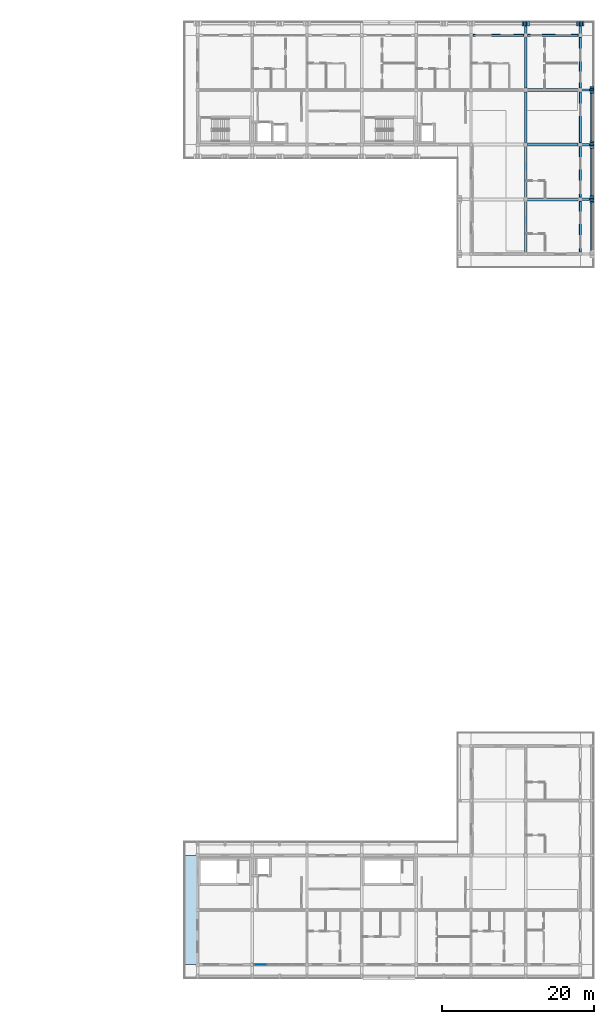
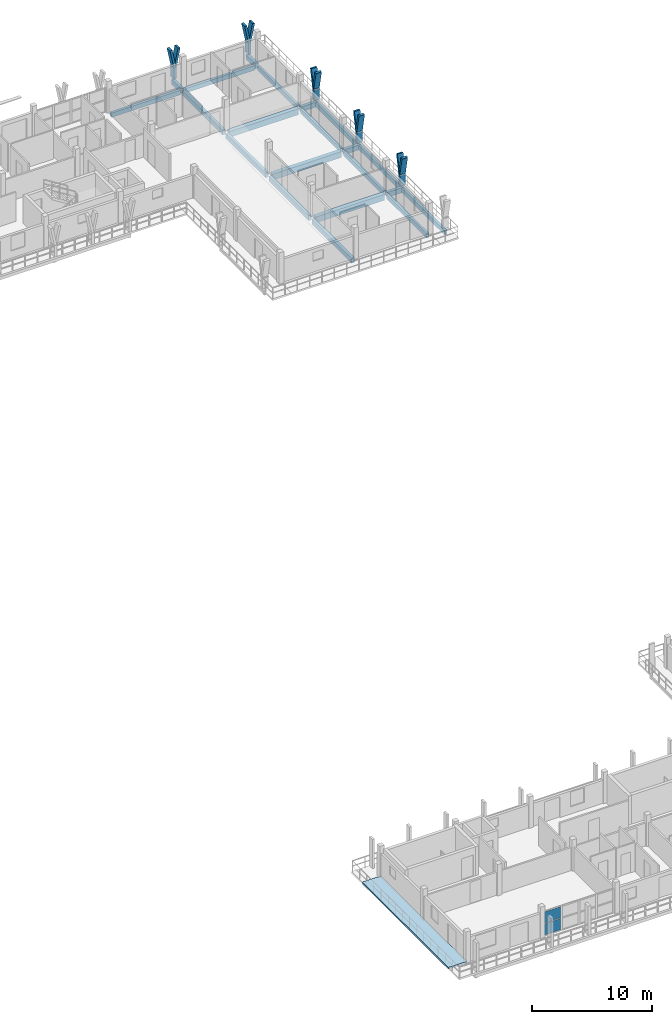
# One storey, part 26 of 56: 19 beams, 15 members, 2 plates, 1 slab, 1 element without a shape of its own.
"""IFC4 building model written with IfcOpenShell, lengths in metres."""

from ifc_helpers import new_model, si_unit, direction, frame, origin, origin_2d, place, context, subcontext, project, spatial, polyline, rectangle, outline, extrude, material, layer, layer_set, material_profile, profile_set, type_object, element, aggregate, save


model = new_model("IFC4")

# Units and contexts
model_context = context("Model", 3, precision=1e-05, world=origin(), true_north=direction((0.0, 1.0)))
body_context = subcontext(model_context, "Body", "Model", "MODEL_VIEW")
ifc_project = project(units=[si_unit("LENGTHUNIT", "METRE"), si_unit("AREAUNIT", "SQUARE_METRE"), si_unit("VOLUMEUNIT", "CUBIC_METRE"), si_unit("PLANEANGLEUNIT", "RADIAN"), si_unit("MASSUNIT", "GRAM", prefix="KILO")], contexts=[model_context])

# Site, building, storey
site_placement = place(None, origin())
site = spatial("IfcSite", under=ifc_project, at=site_placement, CompositionType="ELEMENT")
building_placement = place(site_placement, origin())
building = spatial("IfcBuilding", under=site, at=building_placement, Name="Suanplinth Sawtooth Commons", CompositionType="ELEMENT")
storey_placement = place(building_placement, frame((0.0, 0.0, 34.800048828125)))
storey = spatial("IfcBuildingStorey", under=building, at=storey_placement, Name="L10", CompositionType="ELEMENT", Elevation=34.800048828125)

# Beams
ifc_material_1 = material(Name="Precast concrete C40/50", Category="concrete")
ifc_material_profile_1 = material_profile(ifc_material_1, rectangle(XDim=0.39990234375, YDim=0.60009765625, at=origin_2d()), Name="PC-GDR 400x600")
ifc_profile_set_1 = profile_set([ifc_material_profile_1], Name="Precast concrete C40/50")
beam_type_1 = type_object("IfcBeamType", Name="B-05", PredefinedType="USERDEFINED", material=ifc_profile_set_1)
for number, where, z_axis, x_axis, name in (
    (1, (180.27490234375, 100.800048828125, -0.52001953125), (1.0, 0.0, 0.0), (0.0, 1.0, 0.0), "BMX-L10-B-25-14"),
    (2, (180.27490234375, 108.0, -0.52001953125), (1.0, 0.0, 0.0), (0.0, 1.0, 0.0), "BMX-L10-B-25-15"),
    (3, (180.27490234375, 115.199951171875, -0.52001953125), (1.0, 0.0, 0.0), (0.0, 1.0, 0.0), "BMX-L10-B-25-16"),
):
    element("IfcBeam", number, at=place(storey_placement, frame(where, z_axis=z_axis, x_axis=x_axis)), inside=storey, type_object=beam_type_1, Name=name, ObjectType="GIRDER", PredefinedType="USERDEFINED", context=body_context, shape_type="SweptSolid", body=[
        extrude(rectangle(XDim=0.39990234375, YDim=0.60009765625, at=origin_2d()), origin(), (0.0, 0.0, 1.0), 6.650146484375),
    ])
ifc_material_profile_2 = material_profile(ifc_material_1, rectangle(XDim=0.300048828125, YDim=0.5, at=origin_2d()), Name="PC-BM 300x500")
ifc_profile_set_2 = profile_set([ifc_material_profile_2], Name="Precast concrete C40/50")
beam_type_2 = type_object("IfcBeamType", Name="B-07", PredefinedType="BEAM", material=ifc_profile_set_2)
beam_1_placement = place(storey_placement, frame((180.0, 93.875, -0.469970703125), z_axis=(0.0, 1.0, 0.0), x_axis=(-1.0, 0.0, 0.0)))
element("IfcBeam", 4, at=beam_1_placement, inside=storey, type_object=beam_type_2, Name="BMY-L10-B-25-13", PredefinedType="BEAM", context=body_context, shape_type="SweptSolid", body=[
    extrude(rectangle(XDim=0.300048828125, YDim=0.5, at=origin_2d()), origin(), (0.0, 0.0, 1.0), 6.64990234375),
])
for number, where, z_axis, x_axis, name in (
    (5, (180.0, 101.074951171875, -0.469970703125), (0.0, 1.0, 0.0), (-1.0, 0.0, 0.0), "BMY-L10-B-25-14"),
    (6, (180.0, 108.27490234375, -0.469970703125), (0.0, 1.0, 0.0), (-1.0, 0.0, 0.0), "BMY-L10-B-25-15"),
):
    element("IfcBeam", number, at=place(storey_placement, frame(where, z_axis=z_axis, x_axis=x_axis)), inside=storey, type_object=beam_type_2, Name=name, PredefinedType="BEAM", context=body_context, shape_type="SweptSolid", body=[
        extrude(rectangle(XDim=0.300048828125, YDim=0.5, at=origin_2d()), origin(), (0.0, 0.0, 1.0), 6.650146484375),
    ])
beam_2_placement = place(storey_placement, frame((180.0, 115.47509765625, -0.469970703125), z_axis=(0.0, 1.0, 0.0), x_axis=(-1.0, 0.0, 0.0)))
element("IfcBeam", 7, at=beam_2_placement, inside=storey, type_object=beam_type_2, Name="BMY-L10-B-25-16", PredefinedType="BEAM", context=body_context, shape_type="SweptSolid", body=[
    extrude(rectangle(XDim=0.300048828125, YDim=0.5, at=origin_2d()), origin(), (0.0, 0.0, 1.0), 6.64990234375),
])
for number, where, z_axis, x_axis, name in (
    (8, (180.0, 122.39990234375, -0.429931640625), (0.0, 1.0, 0.0), (-1.0, 0.0, 0.0), "Balcony Outrigger L10-B-N-25"),
    (9, (187.199951171875, 122.39990234375, -0.429931640625), (0.0, 1.0, 0.0), (-1.0, 0.0, 0.0), "Balcony Outrigger L10-B-N-26"),
    (10, (187.199951171875, 100.800048828125, -0.429931640625), (1.0, 0.0, 0.0), (0.0, 1.0, 0.0), "Balcony Outrigger L10-B-E-14"),
    (11, (187.199951171875, 108.0, -0.429931640625), (1.0, 0.0, 0.0), (0.0, 1.0, 0.0), "Balcony Outrigger L10-B-E-15"),
    (12, (187.199951171875, 115.199951171875, -0.429931640625), (1.0, 0.0, 0.0), (0.0, 1.0, 0.0), "Balcony Outrigger L10-B-E-16"),
):
    element("IfcBeam", number, at=place(storey_placement, frame(where, z_axis=z_axis, x_axis=x_axis)), inside=storey, type_object=beam_type_2, Name=name, PredefinedType="BEAM", context=body_context, shape_type="SweptSolid", body=[
        extrude(rectangle(XDim=0.300048828125, YDim=0.5, at=origin_2d()), origin(), (0.0, 0.0, 1.0), 1.64013671875),
    ])
ifc_material_profile_3 = material_profile(ifc_material_1, rectangle(XDim=0.25, YDim=0.449951171875, at=origin_2d()), Name="PC-SP 250x450")
ifc_profile_set_3 = profile_set([ifc_material_profile_3], Name="Precast concrete C40/50")
beam_type_3 = type_object("IfcBeamType", Name="B-09", PredefinedType="SPANDREL", material=ifc_profile_set_3)
for number, where, z_axis, x_axis, name in (
    (13, (173.074951171875, 122.39990234375, -0.445068359375), (1.0, 0.0, 0.0), (0.0, 1.0, 0.0), "BMX-L10-B-24-17"),
    (14, (180.27490234375, 122.39990234375, -0.445068359375), (1.0, 0.0, 0.0), (0.0, 1.0, 0.0), "BMX-L10-B-25-17"),
):
    element("IfcBeam", number, at=place(storey_placement, frame(where, z_axis=z_axis, x_axis=x_axis)), inside=storey, type_object=beam_type_3, Name=name, PredefinedType="SPANDREL", context=body_context, shape_type="SweptSolid", body=[
        extrude(rectangle(XDim=0.25, YDim=0.449951171875, at=origin_2d()), origin(), (0.0, 0.0, 1.0), 6.650146484375),
    ])
beam_3_placement = place(storey_placement, frame((187.199951171875, 93.875, -0.445068359375), z_axis=(0.0, 1.0, 0.0), x_axis=(-1.0, 0.0, 0.0)))
element("IfcBeam", 15, at=beam_3_placement, inside=storey, type_object=beam_type_3, Name="BMY-L10-B-26-13", PredefinedType="SPANDREL", context=body_context, shape_type="SweptSolid", body=[
    extrude(rectangle(XDim=0.25, YDim=0.449951171875, at=origin_2d()), origin(), (0.0, 0.0, 1.0), 6.64990234375),
])
for number, where, z_axis, x_axis, name in (
    (16, (187.199951171875, 101.074951171875, -0.445068359375), (0.0, 1.0, 0.0), (-1.0, 0.0, 0.0), "BMY-L10-B-26-14"),
    (17, (187.199951171875, 108.27490234375, -0.445068359375), (0.0, 1.0, 0.0), (-1.0, 0.0, 0.0), "BMY-L10-B-26-15"),
):
    element("IfcBeam", number, at=place(storey_placement, frame(where, z_axis=z_axis, x_axis=x_axis)), inside=storey, type_object=beam_type_3, Name=name, PredefinedType="SPANDREL", context=body_context, shape_type="SweptSolid", body=[
        extrude(rectangle(XDim=0.25, YDim=0.449951171875, at=origin_2d()), origin(), (0.0, 0.0, 1.0), 6.650146484375),
    ])
beam_4_placement = place(storey_placement, frame((187.199951171875, 115.47509765625, -0.445068359375), z_axis=(0.0, 1.0, 0.0), x_axis=(-1.0, 0.0, 0.0)))
element("IfcBeam", 18, at=beam_4_placement, inside=storey, type_object=beam_type_3, Name="BMY-L10-B-26-16", PredefinedType="SPANDREL", context=body_context, shape_type="SweptSolid", body=[
    extrude(rectangle(XDim=0.25, YDim=0.449951171875, at=origin_2d()), origin(), (0.0, 0.0, 1.0), 6.64990234375),
])
beam_5_placement = place(storey_placement, frame((188.719970703125, 93.449951171875, -0.405029296875), z_axis=(0.0, 1.0, 0.0), x_axis=(-1.0, 0.0, 0.0)))
element("IfcBeam", 19, at=beam_5_placement, inside=storey, type_object=beam_type_3, Name="Balcony Edge Fascia L10-B-E", PredefinedType="SPANDREL", context=body_context, shape_type="SweptSolid", body=[
    extrude(rectangle(XDim=0.25, YDim=0.449951171875, at=origin_2d()), origin(), (0.0, 0.0, 1.0), 21.900146484375),
])

# Members
ifc_material_2 = material(Name="Pigmented precast concrete C40/50", Category="concrete")
ifc_material_profile_4 = material_profile(ifc_material_2, rectangle(XDim=0.260009765625, YDim=0.550048828125, at=origin_2d()), Name="PC-FIN 260x550")
ifc_profile_set_4 = profile_set([ifc_material_profile_4], Name="Pigmented precast concrete C40/50")
member_type_1 = type_object("IfcMemberType", Name="M-09", PredefinedType="USERDEFINED", material=ifc_profile_set_4)
for number, where, z_axis, x_axis, name in (
    (20, (180.0, 123.919921875, 0.0), (0.0, 0.0, 1.0), (1.0, 0.0, 0.0), "Y-Blade Stem L10-B-N-07"),
    (21, (187.199951171875, 123.919921875, 0.0), (0.0, 0.0, 1.0), (1.0, 0.0, 0.0), "Y-Blade Stem L10-B-N-08"),
    (22, (188.719970703125, 100.800048828125, 0.0), (0.0, 0.0, 1.0), (0.0, 1.0, 0.0), "Y-Blade Stem L10-B-E-10"),
    (23, (188.719970703125, 108.0, 0.0), (0.0, 0.0, 1.0), (0.0, 1.0, 0.0), "Y-Blade Stem L10-B-E-11"),
    (24, (188.719970703125, 115.199951171875, 0.0), (0.0, 0.0, 1.0), (0.0, 1.0, 0.0), "Y-Blade Stem L10-B-E-12"),
):
    element("IfcMember", number, at=place(storey_placement, frame(where, z_axis=z_axis, x_axis=x_axis)), inside=storey, type_object=member_type_1, Name=name, ObjectType="SHADING FIN", PredefinedType="USERDEFINED", context=body_context, shape_type="SweptSolid", body=[
        extrude(rectangle(XDim=0.260009765625, YDim=0.550048828125, at=origin_2d()), origin(), (0.0, 0.0, 1.0), 1.169921875),
    ])
ifc_material_profile_5 = material_profile(ifc_material_2, rectangle(XDim=0.219970703125, YDim=0.550048828125, at=origin_2d()), Name="PC-FIN 220x550")
ifc_profile_set_5 = profile_set([ifc_material_profile_5], Name="Pigmented precast concrete C40/50")
member_type_2 = type_object("IfcMemberType", Name="M-10", PredefinedType="USERDEFINED", material=ifc_profile_set_5)
for number, where, z_axis, x_axis, name in (
    (25, (180.0, 123.919921875, 1.1298828125), (-0.196406855569, 0.0, 0.980522486782), (0.980522486782, 0.0, 0.196406855569), "Y-Blade Arm L L10-B-N-07"),
    (26, (180.0, 123.919921875, 1.1298828125), (0.196406855569, 0.0, 0.980522486782), (-0.980522486782, 0.0, 0.196406855569), "Y-Blade Arm R L10-B-N-07"),
):
    element("IfcMember", number, at=place(storey_placement, frame(where, z_axis=z_axis, x_axis=x_axis)), inside=storey, type_object=member_type_2, Name=name, ObjectType="SHADING FIN", PredefinedType="USERDEFINED", context=body_context, shape_type="SweptSolid", body=[
        extrude(rectangle(XDim=0.219970703125, YDim=0.550048828125, at=origin_2d()), origin(), (0.0, 0.0, 1.0), 1.93798828125),
    ])
member_1_placement = place(storey_placement, frame((187.199951171875, 123.919921875, 1.1298828125), z_axis=(-0.196285728346, 0.0, 0.980546741796), x_axis=(0.980546741796, 0.0, 0.196285728346)))
element("IfcMember", 27, at=member_1_placement, inside=storey, type_object=member_type_2, Name="Y-Blade Arm L L10-B-N-08", ObjectType="SHADING FIN", PredefinedType="USERDEFINED", context=body_context, shape_type="SweptSolid", body=[
    extrude(rectangle(XDim=0.219970703125, YDim=0.550048828125, at=origin_2d()), origin(), (0.0, 0.0, 1.0), 1.937744140625),
])
for number, where, z_axis, x_axis, name in (
    (28, (187.199951171875, 123.919921875, 1.1298828125), (0.196406855569, 0.0, 0.980522486782), (-0.980522486782, 0.0, 0.196406855569), "Y-Blade Arm R L10-B-N-08"),
    (29, (188.719970703125, 100.800048828125, 1.1298828125), (0.0, -0.196406855569, 0.980522486782), (0.0, 0.980522486782, 0.196406855569), "Y-Blade Arm L L10-B-E-10"),
):
    element("IfcMember", number, at=place(storey_placement, frame(where, z_axis=z_axis, x_axis=x_axis)), inside=storey, type_object=member_type_2, Name=name, ObjectType="SHADING FIN", PredefinedType="USERDEFINED", context=body_context, shape_type="SweptSolid", body=[
        extrude(rectangle(XDim=0.219970703125, YDim=0.550048828125, at=origin_2d()), origin(), (0.0, 0.0, 1.0), 1.93798828125),
    ])
member_2_placement = place(storey_placement, frame((188.719970703125, 100.800048828125, 1.1298828125), z_axis=(0.0, 0.196285728346, 0.980546741796), x_axis=(0.0, -0.980546741796, 0.196285728346)))
element("IfcMember", 30, at=member_2_placement, inside=storey, type_object=member_type_2, Name="Y-Blade Arm R L10-B-E-10", ObjectType="SHADING FIN", PredefinedType="USERDEFINED", context=body_context, shape_type="SweptSolid", body=[
    extrude(rectangle(XDim=0.219970703125, YDim=0.550048828125, at=origin_2d()), origin(), (0.0, 0.0, 1.0), 1.937744140625),
])
for number, where, z_axis, x_axis, name in (
    (31, (188.719970703125, 108.0, 1.1298828125), (0.0, -0.196406855569, 0.980522486782), (0.0, 0.980522486782, 0.196406855569), "Y-Blade Arm L L10-B-E-11"),
    (32, (188.719970703125, 108.0, 1.1298828125), (0.0, 0.196406855569, 0.980522486782), (0.0, -0.980522486782, 0.196406855569), "Y-Blade Arm R L10-B-E-11"),
):
    element("IfcMember", number, at=place(storey_placement, frame(where, z_axis=z_axis, x_axis=x_axis)), inside=storey, type_object=member_type_2, Name=name, ObjectType="SHADING FIN", PredefinedType="USERDEFINED", context=body_context, shape_type="SweptSolid", body=[
        extrude(rectangle(XDim=0.219970703125, YDim=0.550048828125, at=origin_2d()), origin(), (0.0, 0.0, 1.0), 1.93798828125),
    ])
member_3_placement = place(storey_placement, frame((188.719970703125, 115.199951171875, 1.1298828125), z_axis=(0.0, -0.196285728346, 0.980546741796), x_axis=(0.0, 0.980546741796, 0.196285728346)))
element("IfcMember", 33, at=member_3_placement, inside=storey, type_object=member_type_2, Name="Y-Blade Arm L L10-B-E-12", ObjectType="SHADING FIN", PredefinedType="USERDEFINED", context=body_context, shape_type="SweptSolid", body=[
    extrude(rectangle(XDim=0.219970703125, YDim=0.550048828125, at=origin_2d()), origin(), (0.0, 0.0, 1.0), 1.937744140625),
])
member_4_placement = place(storey_placement, frame((188.719970703125, 115.199951171875, 1.1298828125), z_axis=(0.0, 0.196406855569, 0.980522486782), x_axis=(0.0, -0.980522486782, 0.196406855569)))
element("IfcMember", 34, at=member_4_placement, inside=storey, type_object=member_type_2, Name="Y-Blade Arm R L10-B-E-12", ObjectType="SHADING FIN", PredefinedType="USERDEFINED", context=body_context, shape_type="SweptSolid", body=[
    extrude(rectangle(XDim=0.219970703125, YDim=0.550048828125, at=origin_2d()), origin(), (0.0, 0.0, 1.0), 1.93798828125),
])

# Curtain wall, plates
ifc_material_3 = material(Name="Anodized aluminium and low-E glazing", Category="aluminium")
curtain_wall_type = type_object("IfcCurtainWallType", Name="CW-06", PredefinedType="USERDEFINED", material=ifc_material_3)
curtain_wall_placement = place(storey_placement, origin())
curtain_wall = element("IfcCurtainWall", 35, at=curtain_wall_placement, inside=storey, type_object=curtain_wall_type, Name="Curtain Wall CW-L10-C-LOUNGE-20", ObjectType="CURTAIN WALL", PredefinedType="USERDEFINED")
ifc_material_4 = material(Name="Tempered low-E double glazing", Category="glass")
ifc_layer_1 = layer(ifc_material_4, 0.028076171875, Name="Vision low-E insulated glazing unit 28mm")
ifc_layer_set_1 = layer_set([ifc_layer_1], Name="Tempered low-E double glazing")
plate_type = type_object("IfcPlateType", Name="PL-05", PredefinedType="CURTAIN_PANEL", material=ifc_layer_set_1)
plate_1_placement = place(storey_placement, frame((145.0849609375, 0.0, 0.06494140625), z_axis=(0.0, 0.0, 1.0), x_axis=(1.0, 0.0, 0.0)))
plate_1 = element("IfcPlate", 36, at=plate_1_placement, type_object=plate_type, Name="CW-06 panel 1.1", PredefinedType="CURTAIN_PANEL", context=body_context, shape_type="SweptSolid", body=[
    extrude(rectangle(XDim=1.590087890625, YDim=0.028076171875, at=origin_2d()), origin(), (0.0, 0.0, 1.0), 1.157470703125),
])
plate_2_placement = place(storey_placement, frame((145.0849609375, 0.0, 1.28759765625), z_axis=(0.0, 0.0, 1.0), x_axis=(1.0, 0.0, 0.0)))
plate_2 = element("IfcPlate", 37, at=plate_2_placement, type_object=plate_type, Name="CW-06 panel 1.2", PredefinedType="CURTAIN_PANEL", context=body_context, shape_type="SweptSolid", body=[
    extrude(rectangle(XDim=1.590087890625, YDim=0.028076171875, at=origin_2d()), origin(), (0.0, 0.0, 1.0), 1.157470703125),
])
aggregate(curtain_wall, [plate_1, plate_2])

# Slab
ifc_layer_2 = layer(ifc_material_1, 0.179931640625, Name="Wrap-around cantilevered precast balcony slab 180mm")
ifc_layer_set_2 = layer_set([ifc_layer_2], Name="Precast concrete C40/50")
slab_type = type_object("IfcSlabType", Name="S-BL01", PredefinedType="FLOOR", material=ifc_layer_set_2)
slab_placement = place(storey_placement, frame((0.0, 0.0, -0.179931640625)))
element("IfcSlab", 38, at=slab_placement, inside=storey, type_object=slab_type, Name="L10 Block C Wrap-Around Balcony WEND", PredefinedType="FLOOR", context=body_context, shape_type="SweptSolid", body=[
    extrude(outline(polyline([(136.800048828125, 0.0), (135.0, 0.0), (135.0, 14.39990234375), (136.800048828125, 14.39990234375), (136.800048828125, 0.0)])), origin(), (0.0, 0.0, 1.0), 0.179931640625),
])

save(model, "model.ifc")
